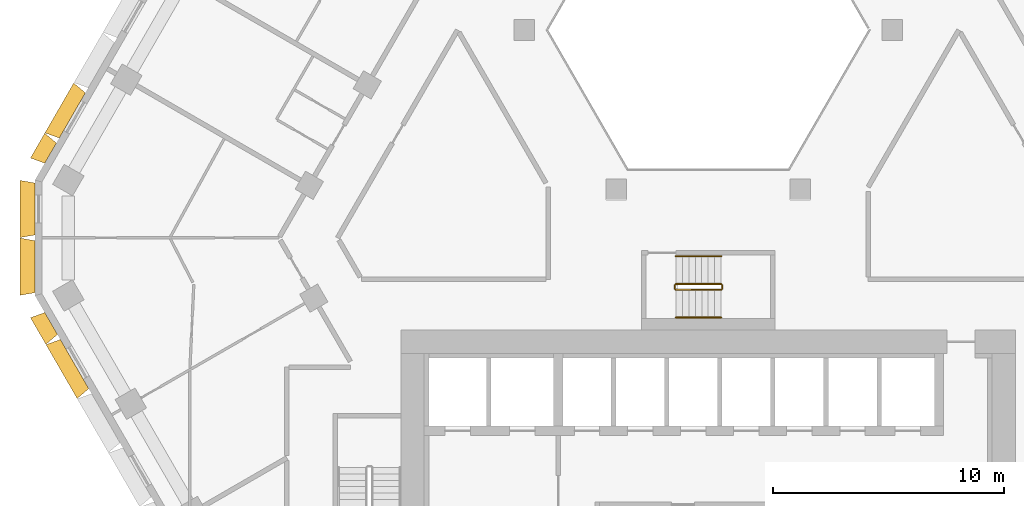
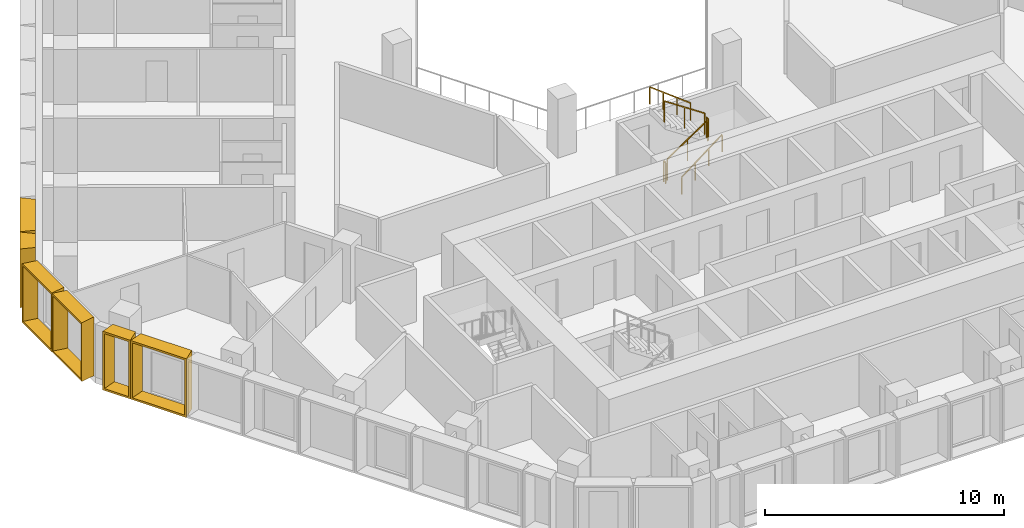
# One storey, part 13 of 15: 6 railings, 6 shading devices.
"""IFC4 building model written with IfcOpenShell, lengths in metres."""

from ifc_helpers import new_model, entity, si_unit, direction, frame, origin, origin_2d, place, context, subcontext, project, spatial, rectangle, extrude, source, transform, mapped, material, type_object, type_shapes, element, save


model = new_model("IFC4")

# Units and contexts
model_context = context("Model", 3, precision=1e-05, world=origin(), true_north=direction((0.0, 1.0)))
body_context = subcontext(model_context, "Body", "Model", "MODEL_VIEW")
ifc_project = project(units=[si_unit("LENGTHUNIT", "METRE"), si_unit("AREAUNIT", "SQUARE_METRE"), si_unit("VOLUMEUNIT", "CUBIC_METRE"), si_unit("PLANEANGLEUNIT", "RADIAN"), si_unit("MASSUNIT", "GRAM", prefix="KILO")], contexts=[model_context])

# Site, building, storey
site_placement = place(None, origin())
site = spatial("IfcSite", under=ifc_project, at=site_placement, CompositionType="ELEMENT")
building_placement = place(site_placement, origin())
building = spatial("IfcBuilding", under=site, at=building_placement, Name="Beryl Residences", CompositionType="ELEMENT")
storey_placement = place(building_placement, frame((0.0, 0.0, 84.0)))
storey = spatial("IfcBuildingStorey", under=building, at=storey_placement, Name="L25", CompositionType="ELEMENT", Elevation=84.0)

# Shading devices
ifc_material_1 = material(Name="Aluminium pale anodised", Category="aluminium")
shading_device_type_1 = type_object("IfcShadingDeviceType", Name="FR126-65A OUTER SKIN frame 650 mm deep, splay 10/10 deg, 1260 x 3000 mm cell", PredefinedType="USERDEFINED", material=ifc_material_1)
cartesian_point_1 = entity("IfcCartesianPoint", [-0.5048828125, 0.0])
cartesian_point_2 = entity("IfcCartesianPoint", [-0.423828125, 0.10009765625])
cartesian_point_3 = entity("IfcCartesianPoint", [-0.61962890625, 0.0])
cartesian_point_4 = entity("IfcCartesianPoint", [-0.538330078125, 0.10009765625])
shared_shape_1 = source(origin(), body_context, "Body", "SweptSolid", [
    entity("IfcExtrudedAreaSolidTapered", entity("IfcArbitraryProfileDefWithVoids", "AREA", None, entity("IfcPolyline", [cartesian_point_1, entity("IfcCartesianPoint", [0.5048828125, 0.0]), entity("IfcCartesianPoint", [0.5048828125, 3.0]), entity("IfcCartesianPoint", [-0.5048828125, 3.0]), cartesian_point_1]), [entity("IfcPolyline", [cartesian_point_2, entity("IfcCartesianPoint", [0.423828125, 0.10009765625]), entity("IfcCartesianPoint", [0.423828125, 2.89990234375]), entity("IfcCartesianPoint", [-0.423828125, 2.89990234375]), cartesian_point_2])]), entity("IfcAxis2Placement3D", entity("IfcCartesianPoint", [0.0, 0.0, 0.0]), entity("IfcDirection", [0.0, 1.0, 0.0]), entity("IfcDirection", [-1.0, 0.0, 0.0])), entity("IfcDirection", [0.0, 0.0, 1.0]), 0.64990234375, entity("IfcArbitraryProfileDefWithVoids", "AREA", None, entity("IfcPolyline", [cartesian_point_3, entity("IfcCartesianPoint", [0.61962890625, 0.0]), entity("IfcCartesianPoint", [0.61962890625, 3.0]), entity("IfcCartesianPoint", [-0.61962890625, 3.0]), cartesian_point_3]), [entity("IfcPolyline", [cartesian_point_4, entity("IfcCartesianPoint", [0.538330078125, 0.10009765625]), entity("IfcCartesianPoint", [0.538330078125, 2.89990234375]), entity("IfcCartesianPoint", [-0.538330078125, 2.89990234375]), cartesian_point_4])])),
])
type_shapes(shading_device_type_1, [shared_shape_1])
shading_device_1_placement = place(storey_placement, frame((-28.48193359375, 2.6689453125, 0.0), z_axis=(0.0, 0.0, 1.0), x_axis=(0.5, 0.866025403784, 0.0)))
element("IfcShadingDevice", 1, at=shading_device_1_placement, inside=storey, type_object=shading_device_type_1, Name="FR126-65A frame L25 NW 11", ObjectType="OUTER SKIN", PredefinedType="USERDEFINED", context=body_context, shape_type="MappedRepresentation", body=[
    mapped(shared_shape_1, transform((0.0, 0.0, 0.0))),
])
ifc_material_2 = material(Name="Aluminium pale anodised", Category="aluminium")
shading_device_type_2 = type_object("IfcShadingDeviceType", Name="FR135-65A OUTER SKIN frame 650 mm deep, splay 10/10 deg, 1350 x 3000 mm cell", PredefinedType="USERDEFINED", material=ifc_material_2)
cartesian_point_5 = entity("IfcCartesianPoint", [-0.550048828125, 0.0])
cartesian_point_6 = entity("IfcCartesianPoint", [-0.46875, 0.10009765625])
cartesian_point_7 = entity("IfcCartesianPoint", [-0.66455078125, 0.0])
cartesian_point_8 = entity("IfcCartesianPoint", [-0.58349609375, 0.10009765625])
shared_shape_2 = source(origin(), body_context, "Body", "SweptSolid", [
    entity("IfcExtrudedAreaSolidTapered", entity("IfcArbitraryProfileDefWithVoids", "AREA", None, entity("IfcPolyline", [cartesian_point_5, entity("IfcCartesianPoint", [0.550048828125, 0.0]), entity("IfcCartesianPoint", [0.550048828125, 3.0]), entity("IfcCartesianPoint", [-0.550048828125, 3.0]), cartesian_point_5]), [entity("IfcPolyline", [cartesian_point_6, entity("IfcCartesianPoint", [0.46875, 0.10009765625]), entity("IfcCartesianPoint", [0.46875, 2.89990234375]), entity("IfcCartesianPoint", [-0.46875, 2.89990234375]), cartesian_point_6])]), entity("IfcAxis2Placement3D", entity("IfcCartesianPoint", [0.0, 0.0, 0.0]), entity("IfcDirection", [0.0, 1.0, 0.0]), entity("IfcDirection", [-1.0, 0.0, 0.0])), entity("IfcDirection", [0.0, 0.0, 1.0]), 0.64990234375, entity("IfcArbitraryProfileDefWithVoids", "AREA", None, entity("IfcPolyline", [cartesian_point_7, entity("IfcCartesianPoint", [0.66455078125, 0.0]), entity("IfcCartesianPoint", [0.66455078125, 3.0]), entity("IfcCartesianPoint", [-0.66455078125, 3.0]), cartesian_point_7]), [entity("IfcPolyline", [cartesian_point_8, entity("IfcCartesianPoint", [0.58349609375, 0.10009765625]), entity("IfcCartesianPoint", [0.58349609375, 2.89990234375]), entity("IfcCartesianPoint", [-0.58349609375, 2.89990234375]), cartesian_point_8])])),
])
type_shapes(shading_device_type_2, [shared_shape_2])
shading_device_2_placement = place(storey_placement, frame((-28.4580078125, -4.7099609375, 0.0), z_axis=(0.0, 0.0, 1.0), x_axis=(-0.5, 0.866025403784, 0.0)))
element("IfcShadingDevice", 2, at=shading_device_2_placement, inside=storey, type_object=shading_device_type_2, Name="FR135-65A frame L25 SW 1", ObjectType="OUTER SKIN", PredefinedType="USERDEFINED", context=body_context, shape_type="MappedRepresentation", body=[
    mapped(shared_shape_2, transform((0.0, 0.0, 0.0))),
])
ifc_material_3 = material(Name="Aluminium pale anodised", Category="aluminium")
shading_device_type_3 = type_object("IfcShadingDeviceType", Name="FR250-65A OUTER SKIN frame 650 mm deep, splay 10/10 deg, 2500 x 3000 mm cell", PredefinedType="USERDEFINED", material=ifc_material_3)
cartesian_point_9 = entity("IfcCartesianPoint", [-1.125, 0.0])
cartesian_point_10 = entity("IfcCartesianPoint", [-1.043701171875, 0.10009765625])
cartesian_point_11 = entity("IfcCartesianPoint", [-1.239501953125, 0.0])
cartesian_point_12 = entity("IfcCartesianPoint", [-1.158447265625, 0.10009765625])
shared_shape_3 = source(origin(), body_context, "Body", "SweptSolid", [
    entity("IfcExtrudedAreaSolidTapered", entity("IfcArbitraryProfileDefWithVoids", "AREA", None, entity("IfcPolyline", [cartesian_point_9, entity("IfcCartesianPoint", [1.125, 0.0]), entity("IfcCartesianPoint", [1.125, 3.0]), entity("IfcCartesianPoint", [-1.125, 3.0]), cartesian_point_9]), [entity("IfcPolyline", [cartesian_point_10, entity("IfcCartesianPoint", [1.043701171875, 0.10009765625]), entity("IfcCartesianPoint", [1.043701171875, 2.89990234375]), entity("IfcCartesianPoint", [-1.043701171875, 2.89990234375]), cartesian_point_10])]), entity("IfcAxis2Placement3D", entity("IfcCartesianPoint", [0.0, 0.0, 0.0]), entity("IfcDirection", [0.0, 1.0, 0.0]), entity("IfcDirection", [-1.0, 0.0, 0.0])), entity("IfcDirection", [0.0, 0.0, 1.0]), 0.64990234375, entity("IfcArbitraryProfileDefWithVoids", "AREA", None, entity("IfcPolyline", [cartesian_point_11, entity("IfcCartesianPoint", [1.239501953125, 0.0]), entity("IfcCartesianPoint", [1.239501953125, 3.0]), entity("IfcCartesianPoint", [-1.239501953125, 3.0]), cartesian_point_11]), [entity("IfcPolyline", [cartesian_point_12, entity("IfcCartesianPoint", [1.158447265625, 0.10009765625]), entity("IfcCartesianPoint", [1.158447265625, 2.89990234375]), entity("IfcCartesianPoint", [-1.158447265625, 2.89990234375]), cartesian_point_12])])),
])
type_shapes(shading_device_type_3, [shared_shape_3])
for number, where, z_axis, x_axis, name in (
    (3, (-29.156982421875, 0.25, 0.0), (0.0, 0.0, 1.0), (0.0, 1.0, 0.0), "FR250-65A frame L25 NW-SW 1"),
    (4, (-29.156982421875, -2.25, 0.0), (0.0, 0.0, 1.0), (0.0, 1.0, 0.0), "FR250-65A frame L25 NW-SW 2"),
):
    element("IfcShadingDevice", number, at=place(storey_placement, frame(where, z_axis=z_axis, x_axis=x_axis)), inside=storey, type_object=shading_device_type_3, Name=name, ObjectType="OUTER SKIN", PredefinedType="USERDEFINED", context=body_context, shape_type="MappedRepresentation", body=[
        mapped(shared_shape_3, transform((0.0, 0.0, 0.0))),
    ])
ifc_material_4 = material(Name="Aluminium pale anodised", Category="aluminium")
shading_device_type_4 = type_object("IfcShadingDeviceType", Name="FR251-65A OUTER SKIN frame 650 mm deep, splay 10/10 deg, 2510 x 3000 mm cell", PredefinedType="USERDEFINED", material=ifc_material_4)
cartesian_point_13 = entity("IfcCartesianPoint", [-1.1298828125, 0.0])
cartesian_point_14 = entity("IfcCartesianPoint", [-1.048828125, 0.10009765625])
cartesian_point_15 = entity("IfcCartesianPoint", [-1.24462890625, 0.0])
cartesian_point_16 = entity("IfcCartesianPoint", [-1.163330078125, 0.10009765625])
shared_shape_4 = source(origin(), body_context, "Body", "SweptSolid", [
    entity("IfcExtrudedAreaSolidTapered", entity("IfcArbitraryProfileDefWithVoids", "AREA", None, entity("IfcPolyline", [cartesian_point_13, entity("IfcCartesianPoint", [1.1298828125, 0.0]), entity("IfcCartesianPoint", [1.1298828125, 3.0]), entity("IfcCartesianPoint", [-1.1298828125, 3.0]), cartesian_point_13]), [entity("IfcPolyline", [cartesian_point_14, entity("IfcCartesianPoint", [1.048828125, 0.10009765625]), entity("IfcCartesianPoint", [1.048828125, 2.89990234375]), entity("IfcCartesianPoint", [-1.048828125, 2.89990234375]), cartesian_point_14])]), entity("IfcAxis2Placement3D", entity("IfcCartesianPoint", [0.0, 0.0, 0.0]), entity("IfcDirection", [0.0, 1.0, 0.0]), entity("IfcDirection", [-1.0, 0.0, 0.0])), entity("IfcDirection", [0.0, 0.0, 1.0]), 0.64990234375, entity("IfcArbitraryProfileDefWithVoids", "AREA", None, entity("IfcPolyline", [cartesian_point_15, entity("IfcCartesianPoint", [1.24462890625, 0.0]), entity("IfcCartesianPoint", [1.24462890625, 3.0]), entity("IfcCartesianPoint", [-1.24462890625, 3.0]), cartesian_point_15]), [entity("IfcPolyline", [cartesian_point_16, entity("IfcCartesianPoint", [1.163330078125, 0.10009765625]), entity("IfcCartesianPoint", [1.163330078125, 2.89990234375]), entity("IfcCartesianPoint", [-1.163330078125, 2.89990234375]), cartesian_point_16])])),
])
type_shapes(shading_device_type_4, [shared_shape_4])
shading_device_3_placement = place(storey_placement, frame((-27.5400390625, 4.300048828125, 0.0), z_axis=(0.0, 0.0, 1.0), x_axis=(0.5, 0.866025403784, 0.0)))
element("IfcShadingDevice", 5, at=shading_device_3_placement, inside=storey, type_object=shading_device_type_4, Name="FR251-65A frame L25 NW 10", ObjectType="OUTER SKIN", PredefinedType="USERDEFINED", context=body_context, shape_type="MappedRepresentation", body=[
    mapped(shared_shape_4, transform((0.0, 0.0, 0.0))),
])
ifc_material_5 = material(Name="Aluminium pale anodised", Category="aluminium")
shading_device_type_5 = type_object("IfcShadingDeviceType", Name="FR271-65A OUTER SKIN frame 650 mm deep, splay 10/10 deg, 2710 x 3000 mm cell", PredefinedType="USERDEFINED", material=ifc_material_5)
cartesian_point_17 = entity("IfcCartesianPoint", [-1.22998046875, 0.0])
cartesian_point_18 = entity("IfcCartesianPoint", [-1.148681640625, 0.10009765625])
cartesian_point_19 = entity("IfcCartesianPoint", [-1.3447265625, 0.0])
cartesian_point_20 = entity("IfcCartesianPoint", [-1.263427734375, 0.10009765625])
shared_shape_5 = source(origin(), body_context, "Body", "SweptSolid", [
    entity("IfcExtrudedAreaSolidTapered", entity("IfcArbitraryProfileDefWithVoids", "AREA", None, entity("IfcPolyline", [cartesian_point_17, entity("IfcCartesianPoint", [1.22998046875, 0.0]), entity("IfcCartesianPoint", [1.22998046875, 3.0]), entity("IfcCartesianPoint", [-1.22998046875, 3.0]), cartesian_point_17]), [entity("IfcPolyline", [cartesian_point_18, entity("IfcCartesianPoint", [1.148681640625, 0.10009765625]), entity("IfcCartesianPoint", [1.148681640625, 2.89990234375]), entity("IfcCartesianPoint", [-1.148681640625, 2.89990234375]), cartesian_point_18])]), entity("IfcAxis2Placement3D", entity("IfcCartesianPoint", [0.0, 0.0, 0.0]), entity("IfcDirection", [0.0, 1.0, 0.0]), entity("IfcDirection", [-1.0, 0.0, 0.0])), entity("IfcDirection", [0.0, 0.0, 1.0]), 0.64990234375, entity("IfcArbitraryProfileDefWithVoids", "AREA", None, entity("IfcPolyline", [cartesian_point_19, entity("IfcCartesianPoint", [1.3447265625, 0.0]), entity("IfcCartesianPoint", [1.3447265625, 3.0]), entity("IfcCartesianPoint", [-1.3447265625, 3.0]), cartesian_point_19]), [entity("IfcPolyline", [cartesian_point_20, entity("IfcCartesianPoint", [1.263427734375, 0.10009765625]), entity("IfcCartesianPoint", [1.263427734375, 2.89990234375]), entity("IfcCartesianPoint", [-1.263427734375, 2.89990234375]), cartesian_point_20])])),
])
type_shapes(shading_device_type_5, [shared_shape_5])
shading_device_4_placement = place(storey_placement, frame((-27.443115234375, -6.468017578125, 0.0), z_axis=(0.0, 0.0, 1.0), x_axis=(-0.5, 0.866025403784, 0.0)))
element("IfcShadingDevice", 6, at=shading_device_4_placement, inside=storey, type_object=shading_device_type_5, Name="FR271-65A frame L25 SW 2", ObjectType="OUTER SKIN", PredefinedType="USERDEFINED", context=body_context, shape_type="MappedRepresentation", body=[
    mapped(shared_shape_5, transform((0.0, 0.0, 0.0))),
])

# Railings
ifc_material_6 = material(Name="Stainless steel balustrade with glass infill", Category="steel")
railing_type_1 = type_object("IfcRailingType", Name="SG1 stair guard 1100 mm", PredefinedType="GUARDRAIL", material=ifc_material_6)
railing_1_placement = place(storey_placement, frame((-1.39990234375, -3.25, 0.1875)))
element("IfcRailing", 7, at=railing_1_placement, inside=storey, type_object=railing_type_1, Name="L25 ST-4 stair guard 1", PredefinedType="GUARDRAIL", context=body_context, shape_type="SweptSolid", body=[
    extrude(rectangle(XDim=0.048095703125, YDim=0.048095703125, at=origin_2d()), frame((0.0, 0.0, 1.076171875), z_axis=(0.830902050051, 0.0, 0.556418712142), x_axis=(0.0, 1.0, 0.0)), (0.0, 0.0, 1.0), 2.35888671875),
    extrude(rectangle(XDim=0.0419921875, YDim=0.0419921875, at=origin_2d()), origin(), (0.0, 0.0, 1.0), 1.052001953125),
    extrude(rectangle(XDim=0.0419921875, YDim=0.0419921875, at=origin_2d()), frame((0.97998046875, 0.0, 0.65625)), (0.0, 0.0, 1.0), 1.052001953125),
    extrude(rectangle(XDim=0.0419921875, YDim=0.0419921875, at=origin_2d()), frame((1.9599609375, 0.0, 1.3125)), (0.0, 0.0, 1.0), 1.052001953125),
])
railing_2_placement = place(storey_placement, frame((0.610107421875, -3.199951171875, 1.5)))
element("IfcRailing", 8, at=railing_2_placement, inside=storey, type_object=railing_type_1, Name="L25 ST-4 stair guard 2", PredefinedType="GUARDRAIL", context=body_context, shape_type="SweptSolid", body=[
    extrude(rectangle(XDim=0.048095703125, YDim=0.048095703125, at=origin_2d()), frame((0.0, 0.0, 1.076171875), z_axis=(0.0, 1.0, 0.0), x_axis=(-1.0, 0.0, 0.0)), (0.0, 0.0, 1.0), 0.14990234375),
    extrude(rectangle(XDim=0.0419921875, YDim=0.0419921875, at=origin_2d()), origin(), (0.0, 0.0, 1.0), 1.052001953125),
    extrude(rectangle(XDim=0.0419921875, YDim=0.0419921875, at=origin_2d()), frame((0.0, 0.14990234375, 0.0)), (0.0, 0.0, 1.0), 1.052001953125),
])
railing_3_placement = place(storey_placement, frame((0.56005859375, -3.0, 1.6875)))
element("IfcRailing", 9, at=railing_3_placement, inside=storey, type_object=railing_type_1, Name="L25 ST-4 stair guard 3", PredefinedType="GUARDRAIL", context=body_context, shape_type="SweptSolid", body=[
    extrude(rectangle(XDim=0.048095703125, YDim=0.048095703125, at=origin_2d()), frame((0.0, 0.0, 1.076171875), z_axis=(-0.830902050051, 0.0, 0.556418712142), x_axis=(0.0, -1.0, 0.0)), (0.0, 0.0, 1.0), 2.35888671875),
    extrude(rectangle(XDim=0.0419921875, YDim=0.0419921875, at=origin_2d()), origin(), (0.0, 0.0, 1.0), 1.052001953125),
    extrude(rectangle(XDim=0.0419921875, YDim=0.0419921875, at=origin_2d()), frame((-0.97998046875, 0.0, 0.65625)), (0.0, 0.0, 1.0), 1.052001953125),
    extrude(rectangle(XDim=0.0419921875, YDim=0.0419921875, at=origin_2d()), frame((-1.9599609375, 0.0, 1.3125)), (0.0, 0.0, 1.0), 1.052001953125),
])
railing_4_placement = place(storey_placement, frame((-1.449951171875, -3.199951171875, 0.0)))
element("IfcRailing", 10, at=railing_4_placement, inside=storey, type_object=railing_type_1, Name="L25 ST-4 stair guard 4", PredefinedType="GUARDRAIL", context=body_context, shape_type="SweptSolid", body=[
    extrude(rectangle(XDim=0.048095703125, YDim=0.048095703125, at=origin_2d()), frame((0.0, 0.0, 1.076171875), z_axis=(0.0, 1.0, 0.0), x_axis=(-1.0, 0.0, 0.0)), (0.0, 0.0, 1.0), 0.14990234375),
    extrude(rectangle(XDim=0.0419921875, YDim=0.0419921875, at=origin_2d()), origin(), (0.0, 0.0, 1.0), 1.052001953125),
    extrude(rectangle(XDim=0.0419921875, YDim=0.0419921875, at=origin_2d()), frame((0.0, 0.14990234375, 0.0)), (0.0, 0.0, 1.0), 1.052001953125),
])
ifc_material_7 = material(Name="Stainless steel handrail", Category="steel")
railing_type_2 = type_object("IfcRailingType", Name="SRL1 stair handrail 900 mm", PredefinedType="HANDRAIL", material=ifc_material_7)
railing_5_placement = place(storey_placement, frame((-1.39990234375, -4.449951171875, 0.1875)))
element("IfcRailing", 11, at=railing_5_placement, inside=storey, type_object=railing_type_2, Name="L25 ST-4 stair handrail 1", PredefinedType="HANDRAIL", context=body_context, shape_type="SweptSolid", body=[
    extrude(rectangle(XDim=0.048095703125, YDim=0.048095703125, at=origin_2d()), frame((0.0, 0.0, 0.8759765625), z_axis=(0.794121922505, 0.0, 0.607758481798), x_axis=(0.0, 1.0, 0.0)), (0.0, 0.0, 1.0), 2.468017578125),
    extrude(rectangle(XDim=0.0419921875, YDim=0.0419921875, at=origin_2d()), origin(), (0.0, 0.0, 1.0), 0.851806640625),
    extrude(rectangle(XDim=0.0419921875, YDim=0.0419921875, at=origin_2d()), frame((0.6533203125, 0.0, 0.5)), (0.0, 0.0, 1.0), 0.851806640625),
    extrude(rectangle(XDim=0.0419921875, YDim=0.0419921875, at=origin_2d()), frame((1.306640625, 0.0, 1.0)), (0.0, 0.0, 1.0), 0.851806640625),
    extrude(rectangle(XDim=0.0419921875, YDim=0.0419921875, at=origin_2d()), frame((1.9599609375, 0.0, 1.5)), (0.0, 0.0, 1.0), 0.851806640625),
])
railing_6_placement = place(storey_placement, frame((0.56005859375, -1.800048828125, 1.6875)))
element("IfcRailing", 12, at=railing_6_placement, inside=storey, type_object=railing_type_2, Name="L25 ST-4 stair handrail 2", PredefinedType="HANDRAIL", context=body_context, shape_type="SweptSolid", body=[
    extrude(rectangle(XDim=0.048095703125, YDim=0.048095703125, at=origin_2d()), frame((0.0, 0.0, 0.8759765625), z_axis=(-0.794121922505, 0.0, 0.607758481798), x_axis=(0.0, -1.0, 0.0)), (0.0, 0.0, 1.0), 2.468017578125),
    extrude(rectangle(XDim=0.0419921875, YDim=0.0419921875, at=origin_2d()), origin(), (0.0, 0.0, 1.0), 0.851806640625),
    extrude(rectangle(XDim=0.0419921875, YDim=0.0419921875, at=origin_2d()), frame((-0.6533203125, 0.0, 0.5)), (0.0, 0.0, 1.0), 0.851806640625),
    extrude(rectangle(XDim=0.0419921875, YDim=0.0419921875, at=origin_2d()), frame((-1.306640625, 0.0, 1.0)), (0.0, 0.0, 1.0), 0.851806640625),
    extrude(rectangle(XDim=0.0419921875, YDim=0.0419921875, at=origin_2d()), frame((-1.9599609375, 0.0, 1.5)), (0.0, 0.0, 1.0), 0.851806640625),
])

save(model, "model.ifc")
